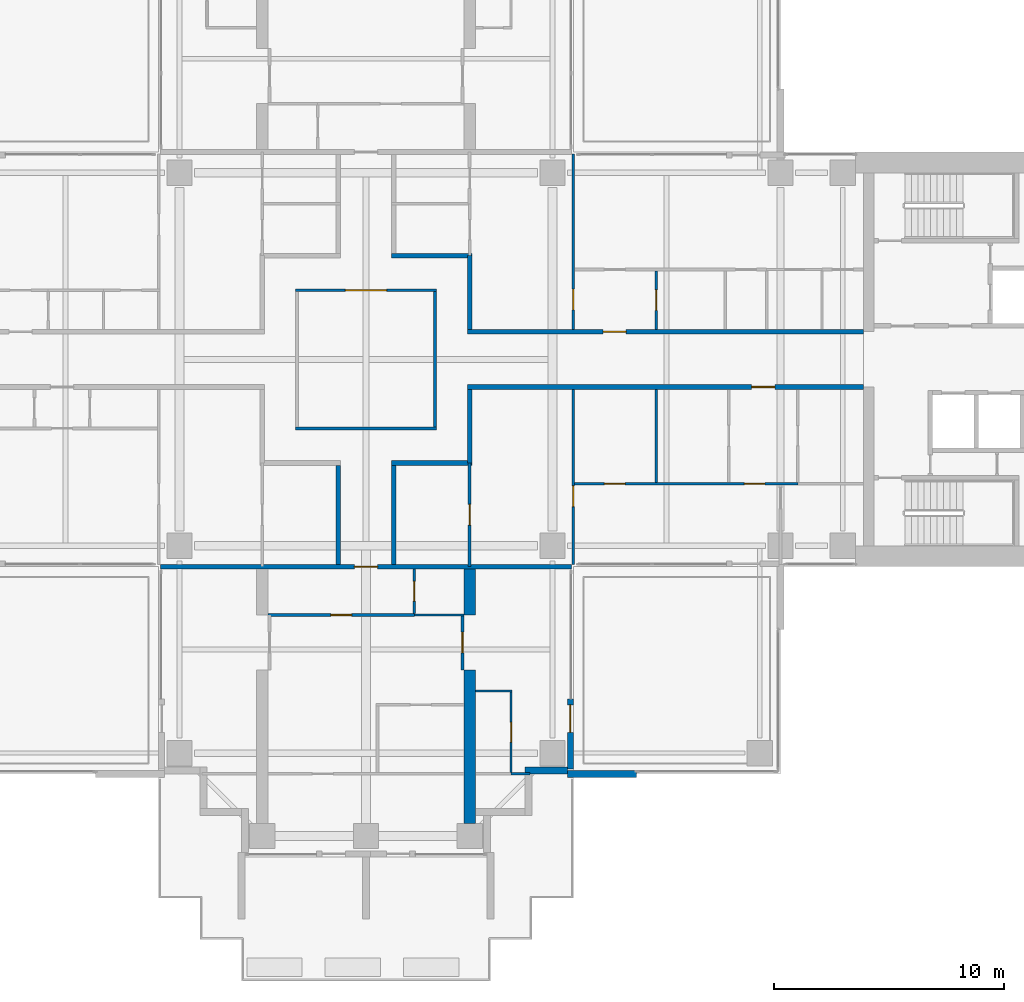
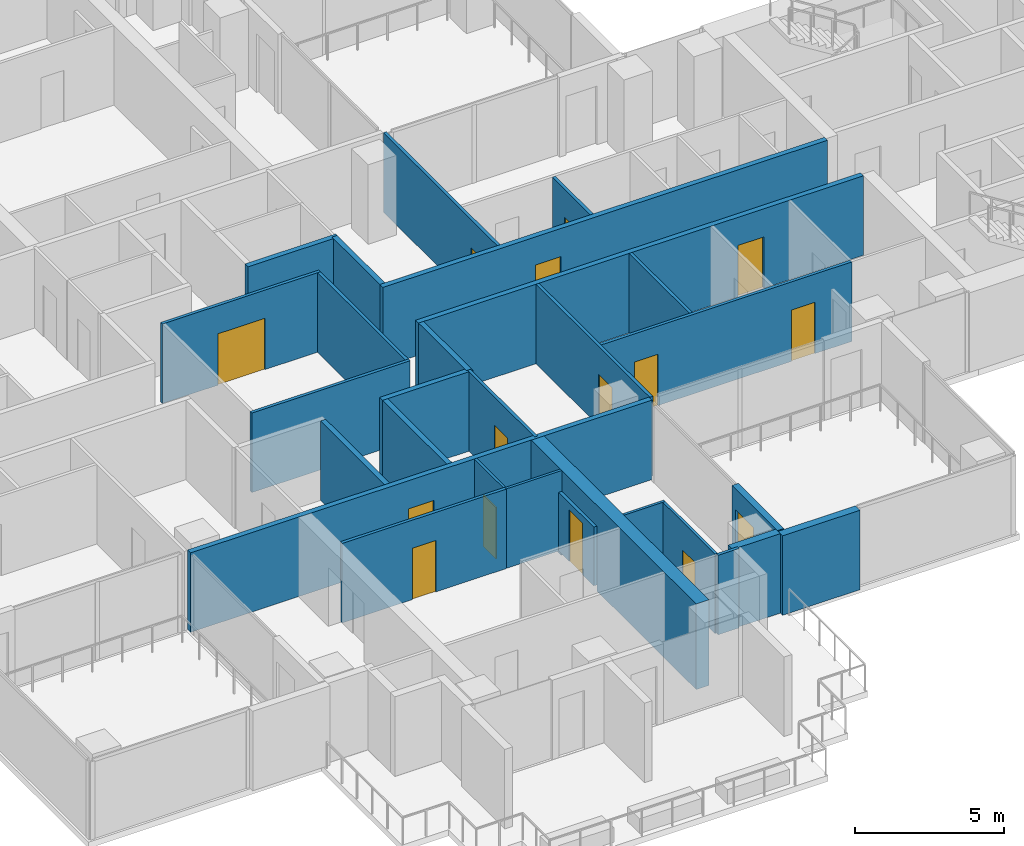
# One storey, part 12 of 20: 29 walls, 15 doors, 15 openings.
"""IFC4 building model written with IfcOpenShell, lengths in metres."""

from ifc_helpers import new_model, si_unit, direction, frame, frame_2d, origin, place, context, subcontext, project, spatial, polyline, rectangle, outline, extrude, material, layer, layer_set, material_profile, profile_set, type_object, element, fill, save


model = new_model("IFC4")

# Units and contexts
model_context = context("Model", 3, precision=1e-05, world=origin(), true_north=direction((0.0, 1.0)))
body_context = subcontext(model_context, "Body", "Model", "MODEL_VIEW")
ifc_project = project(units=[si_unit("LENGTHUNIT", "METRE"), si_unit("AREAUNIT", "SQUARE_METRE"), si_unit("VOLUMEUNIT", "CUBIC_METRE"), si_unit("PLANEANGLEUNIT", "RADIAN"), si_unit("MASSUNIT", "GRAM", prefix="KILO")], contexts=[model_context])

# Site, building, storey
site_placement = place(None, origin())
site = spatial("IfcSite", under=ifc_project, at=site_placement, CompositionType="ELEMENT")
building_placement = place(site_placement, origin())
building = spatial("IfcBuilding", under=site, at=building_placement, Name="Perihelion Cross Residences", CompositionType="ELEMENT")
storey_placement = place(building_placement, frame((0.0, 0.0, 102.39990234375)))
storey = spatial("IfcBuildingStorey", under=building, at=storey_placement, Name="L23", CompositionType="ELEMENT", Elevation=102.39990234375)

# Wall, opening, door
ifc_material_1 = material(Name="Plasterboard partition")
ifc_layer_1 = layer(ifc_material_1, 0.199951171875)
ifc_layer_set_1 = layer_set([ifc_layer_1], Name="Apartment separation wall 200")
wall_type_1 = type_object("IfcWallType", Name="Apartment separation wall 200", PredefinedType="PARTITIONING", material=ifc_layer_set_1)
wall_1_placement = place(storey_placement, frame((4.39990234375, 1.199951171875, 0.0), z_axis=(0.0, 0.0, 1.0), x_axis=(1.0, 0.0, 0.0)))
wall_1 = element("IfcWall", 1, at=wall_1_placement, inside=storey, type_object=wall_type_1, Name="Partition L23 W005", PredefinedType="PARTITIONING", context=body_context, shape_type="SweptSolid", body=[
    extrude(rectangle(XDim=17.2001953125, YDim=0.199951171875, at=frame_2d((8.60009765625, 0.0))), origin(), (0.0, 0.0, 1.0), 3.25),
])
opening_1_placement = place(wall_1_placement, frame((5.89990234375, 0.0, 0.0)))
opening_1 = element("IfcOpeningElement", 2, at=opening_1_placement, cuts=wall_1, Name="Opening L23.A46", PredefinedType="OPENING", context=body_context, shape_type="SweptSolid", body=[
    extrude(rectangle(XDim=1.0, YDim=2.10009765625, at=frame_2d((0.5, 1.050048828125))), frame((0.0, 0.10986328125, 0.0), z_axis=(0.0, -1.0, 0.0), x_axis=(1.0, 0.0, 0.0)), (0.0, 0.0, 1.0), 0.219970703125),
])
ifc_material_2 = material(Name="Timber door leaf", Category="wood")
door_type_1 = type_object("IfcDoorType", Name="Flat entrance door 1000 x 2100", OperationType="SINGLE_SWING_LEFT", PredefinedType="DOOR", material=ifc_material_2)
door_1_placement = place(opening_1_placement, origin())
door_1 = element("IfcDoor", 3, at=door_1_placement, inside=storey, type_object=door_type_1, Name="Door L23.A46", OperationType="SINGLE_SWING_LEFT", OverallHeight=2.10009765625, OverallWidth=1.0, PredefinedType="DOOR", context=body_context, shape_type="SweptSolid", body=[
    extrude(rectangle(XDim=1.0, YDim=2.10009765625, at=frame_2d((0.5, 1.050048828125))), frame((0.0, 0.02490234375, 0.0), z_axis=(0.0, -1.0, 0.0), x_axis=(1.0, 0.0, 0.0)), (0.0, 0.0, 1.0), 0.050048828125),
])
fill(opening_1, door_1)

# Walls
wall_2_placement = place(storey_placement, frame((4.5, 4.5, 0.0), z_axis=(0.0, 0.0, 1.0), x_axis=(0.0, -1.0, 0.0)))
element("IfcWall", 4, at=wall_2_placement, inside=storey, type_object=wall_type_1, Name="Partition L23 W006", PredefinedType="PARTITIONING", context=body_context, shape_type="SweptSolid", body=[
    extrude(rectangle(XDim=3.199951171875, YDim=0.199951171875, at=frame_2d((1.60009765625, 0.0))), origin(), (0.0, 0.0, 1.0), 3.25),
])
wall_3_placement = place(storey_placement, frame((1.10009765625, 4.5, 0.0), z_axis=(0.0, 0.0, 1.0), x_axis=(1.0, 0.0, 0.0)))
element("IfcWall", 5, at=wall_3_placement, inside=storey, type_object=wall_type_1, Name="Partition L23 W008", PredefinedType="PARTITIONING", context=body_context, shape_type="SweptSolid", body=[
    extrude(rectangle(XDim=3.5, YDim=0.199951171875, at=frame_2d((1.75, 0.0))), origin(), (0.0, 0.0, 1.0), 3.25),
])

# Wall, opening, door
wall_4_placement = place(storey_placement, frame((21.60009765625, -1.199951171875, 0.0), z_axis=(0.0, 0.0, 1.0), x_axis=(-1.0, 0.0, 0.0)))
wall_4 = element("IfcWall", 6, at=wall_4_placement, inside=storey, type_object=wall_type_1, Name="Partition L23 W009", PredefinedType="PARTITIONING", context=body_context, shape_type="SweptSolid", body=[
    extrude(rectangle(XDim=17.2001953125, YDim=0.199951171875, at=frame_2d((8.60009765625, 0.0))), origin(), (0.0, 0.0, 1.0), 3.25),
])
opening_2_placement = place(wall_4_placement, frame((3.85009765625, 0.0, 0.0)))
opening_2 = element("IfcOpeningElement", 7, at=opening_2_placement, cuts=wall_4, Name="Opening L23.A47", PredefinedType="OPENING", context=body_context, shape_type="SweptSolid", body=[
    extrude(rectangle(XDim=1.0, YDim=2.10009765625, at=frame_2d((0.5, 1.050048828125))), frame((0.0, 0.10986328125, 0.0), z_axis=(0.0, -1.0, 0.0), x_axis=(1.0, 0.0, 0.0)), (0.0, 0.0, 1.0), 0.219970703125),
])
door_2_placement = place(opening_2_placement, origin())
door_2 = element("IfcDoor", 8, at=door_2_placement, inside=storey, type_object=door_type_1, Name="Door L23.A47", OperationType="SINGLE_SWING_LEFT", OverallHeight=2.10009765625, OverallWidth=1.0, PredefinedType="DOOR", context=body_context, shape_type="SweptSolid", body=[
    extrude(rectangle(XDim=1.0, YDim=2.10009765625, at=frame_2d((0.5, 1.050048828125))), frame((0.0, 0.02490234375, 0.0), z_axis=(0.0, -1.0, 0.0), x_axis=(1.0, 0.0, 0.0)), (0.0, 0.0, 1.0), 0.050048828125),
])
fill(opening_2, door_2)

# Walls
wall_5_placement = place(storey_placement, frame((4.5, -1.300048828125, 0.0), z_axis=(0.0, 0.0, 1.0), x_axis=(0.0, -1.0, 0.0)))
element("IfcWall", 9, at=wall_5_placement, inside=storey, type_object=wall_type_1, Name="Partition L23 W010", PredefinedType="PARTITIONING", context=body_context, shape_type="SweptSolid", body=[
    extrude(rectangle(XDim=3.199951171875, YDim=0.199951171875, at=frame_2d((1.60009765625, 0.0))), origin(), (0.0, 0.0, 1.0), 3.25),
])
wall_6_placement = place(storey_placement, frame((4.60009765625, -4.5, 0.0), z_axis=(0.0, 0.0, 1.0), x_axis=(-1.0, 0.0, 0.0)))
element("IfcWall", 10, at=wall_6_placement, inside=storey, type_object=wall_type_1, Name="Partition L23 W011", PredefinedType="PARTITIONING", context=body_context, shape_type="SweptSolid", body=[
    extrude(rectangle(XDim=3.5, YDim=0.199951171875, at=frame_2d((1.75, 0.0))), origin(), (0.0, 0.0, 1.0), 3.25),
])
for number, where, z_axis, x_axis, name in (
    (11, (1.199951171875, -4.60009765625, 0.0), (0.0, 0.0, 1.0), (0.0, -1.0, 0.0), "Partition L23 W012"),
    (12, (-1.199951171875, -8.89990234375, 0.0), (0.0, 0.0, 1.0), (0.0, 1.0, 0.0), "Partition L23 W019"),
):
    element("IfcWall", number, at=place(storey_placement, frame(where, z_axis=z_axis, x_axis=x_axis)), inside=storey, type_object=wall_type_1, Name=name, PredefinedType="PARTITIONING", context=body_context, shape_type="SweptSolid", body=[
        extrude(rectangle(XDim=4.2998046875, YDim=0.199951171875, at=frame_2d((2.14990234375, 0.0))), origin(), (0.0, 0.0, 1.0), 3.25),
    ])

# Wall, opening, door
wall_7_placement = place(storey_placement, frame((8.919921875, -9.0, 0.0), z_axis=(0.0, 0.0, 1.0), x_axis=(-1.0, 0.0, 0.0)))
wall_7 = element("IfcWall", 13, at=wall_7_placement, inside=storey, type_object=wall_type_1, Name="Partition L23 W022", PredefinedType="PARTITIONING", context=body_context, shape_type="SweptSolid", body=[
    extrude(rectangle(XDim=17.83984375, YDim=0.199951171875, at=frame_2d((8.919921875, 0.0))), origin(), (0.0, 0.0, 1.0), 3.25),
])
opening_3_placement = place(wall_7_placement, frame((8.419921875, 0.0, 0.0)))
opening_3 = element("IfcOpeningElement", 14, at=opening_3_placement, cuts=wall_7, Name="Opening L23.A40", PredefinedType="OPENING", context=body_context, shape_type="SweptSolid", body=[
    extrude(rectangle(XDim=1.0, YDim=2.10009765625, at=frame_2d((0.5, 1.050048828125))), frame((0.0, 0.10986328125, 0.0), z_axis=(0.0, -1.0, 0.0), x_axis=(1.0, 0.0, 0.0)), (0.0, 0.0, 1.0), 0.219970703125),
])
door_3_placement = place(opening_3_placement, origin())
door_3 = element("IfcDoor", 15, at=door_3_placement, inside=storey, type_object=door_type_1, Name="Door L23.A40", OperationType="SINGLE_SWING_RIGHT", OverallHeight=2.10009765625, OverallWidth=1.0, PredefinedType="DOOR", context=body_context, shape_type="SweptSolid", body=[
    extrude(rectangle(XDim=1.0, YDim=2.10009765625, at=frame_2d((0.5, 1.050048828125))), frame((0.0, 0.02490234375, 0.0), z_axis=(0.0, -1.0, 0.0), x_axis=(1.0, 0.0, 0.0)), (0.0, 0.0, 1.0), 0.050048828125),
])
fill(opening_3, door_3)

ifc_material_3 = material(Name="Concrete C30/37, bronze-clad", Category="concrete")
ifc_layer_2 = layer(ifc_material_3, 0.25)
ifc_layer_set_2 = layer_set([ifc_layer_2], Name="Bronze-clad pier wall 250")
wall_type_2 = type_object("IfcWallType", Name="Bronze-clad pier wall 250", PredefinedType="SOLIDWALL", material=ifc_layer_set_2)
wall_8_placement = place(storey_placement, frame((8.875, -17.800048828125, 0.0), z_axis=(0.0, 0.0, 1.0), x_axis=(0.0, 1.0, 0.0)))
wall_8 = element("IfcWall", 16, at=wall_8_placement, inside=storey, type_object=wall_type_2, Name="Wall FW1 L23 south side east bay 1 pier", PredefinedType="SOLIDWALL", context=body_context, shape_type="SweptSolid", body=[
    extrude(rectangle(XDim=3.050048828125, YDim=0.25, at=frame_2d((1.52490234375, 0.0))), origin(), (0.0, 0.0, 1.0), 3.25),
])
opening_4_placement = place(wall_8_placement, frame((1.60009765625, 0.0, 0.0)))
opening_4 = element("IfcOpeningElement", 17, at=opening_4_placement, cuts=wall_8, Name="Opening L23.E13", PredefinedType="OPENING", context=body_context, shape_type="SweptSolid", body=[
    extrude(rectangle(XDim=1.199951171875, YDim=2.39990234375, at=frame_2d((0.60009765625, 1.199951171875))), frame((0.0, 0.135009765625, 0.0), z_axis=(0.0, -1.0, 0.0), x_axis=(1.0, 0.0, 0.0)), (0.0, 0.0, 1.0), 0.27001953125),
])
ifc_material_4 = material(Name="Bronze anodised aluminium, glazed", Category="aluminium")
door_type_2 = type_object("IfcDoorType", Name="Balcony door 1200 x 2400", OperationType="NOTDEFINED", PredefinedType="DOOR", material=ifc_material_4)
door_4_placement = place(opening_4_placement, origin())
door_4 = element("IfcDoor", 18, at=door_4_placement, inside=storey, type_object=door_type_2, Name="Door L23.E13 south side east bay 1", OperationType="SINGLE_SWING_RIGHT", OverallHeight=2.39990234375, OverallWidth=1.199951171875, PredefinedType="DOOR", context=body_context, shape_type="SweptSolid", body=[
    extrude(rectangle(XDim=1.199951171875, YDim=2.39990234375, at=frame_2d((0.60009765625, 1.199951171875))), frame((0.0, 0.02490234375, 0.0), z_axis=(0.0, -1.0, 0.0), x_axis=(1.0, 0.0, 0.0)), (0.0, 0.0, 1.0), 0.050048828125),
])
fill(opening_4, door_4)

# Wall
ifc_material_5 = material(Name="Concrete C30/37, bronze-clad", Category="concrete")
ifc_layer_3 = layer(ifc_material_5, 0.300048828125)
ifc_layer_set_3 = layer_set([ifc_layer_3], Name="Bronze-clad serration wall 300")
wall_type_3 = type_object("IfcWallType", Name="Bronze-clad serration wall 300", PredefinedType="SOLIDWALL", material=ifc_layer_set_3)
wall_9_placement = place(storey_placement, frame((6.89990234375, -17.85009765625, 0.0), z_axis=(0.0, 0.0, 1.0), x_axis=(1.0, 0.0, 0.0)))
element("IfcWall", 19, at=wall_9_placement, inside=storey, type_object=wall_type_3, Name="Wall SR1 L23 south corner south-east 4", PredefinedType="SOLIDWALL", context=body_context, shape_type="SweptSolid", body=[
    extrude(rectangle(XDim=1.85009765625, YDim=0.300048828125, at=frame_2d((0.925048828125, 0.0))), origin(), (0.0, 0.0, 1.0), 3.25),
])

# Wall, opening, door
ifc_material_6 = material(Name="Plasterboard partition")
ifc_layer_4 = layer(ifc_material_6, 0.1201171875)
ifc_layer_set_4 = layer_set([ifc_layer_4], Name="Infill panel 120")
wall_type_4 = type_object("IfcWallType", Name="Infill panel 120", PredefinedType="PARTITIONING", material=ifc_layer_set_4)
wall_10_placement = place(storey_placement, frame((4.18994140625, -11.10009765625, 0.0), z_axis=(0.0, 0.0, 1.0), x_axis=(0.0, -1.0, 0.0)))
wall_10 = element("IfcWall", 20, at=wall_10_placement, inside=storey, type_object=wall_type_4, Name="Partition L23 WI05", PredefinedType="PARTITIONING", context=body_context, shape_type="SweptSolid", body=[
    extrude(rectangle(XDim=2.39990234375, YDim=0.1201171875, at=frame_2d((1.199951171875, 0.0))), origin(), (0.0, 0.0, 1.0), 2.400146484375),
])
opening_5_placement = place(wall_10_placement, frame((0.75, 0.0, 0.0)))
opening_5 = element("IfcOpeningElement", 21, at=opening_5_placement, cuts=wall_10, Name="Opening L23.A54", PredefinedType="OPENING", context=body_context, shape_type="SweptSolid", body=[
    extrude(rectangle(XDim=0.89990234375, YDim=2.10009765625, at=frame_2d((0.449951171875, 1.050048828125))), frame((0.0, 0.070068359375, 0.0), z_axis=(0.0, -1.0, 0.0), x_axis=(1.0, 0.0, 0.0)), (0.0, 0.0, 1.0), 0.14013671875),
])
ifc_material_7 = material(Name="Timber door leaf", Category="wood")
door_type_3 = type_object("IfcDoorType", Name="Interior room door 900 x 2100", OperationType="SINGLE_SWING_LEFT", PredefinedType="DOOR", material=ifc_material_7)
door_5_placement = place(opening_5_placement, origin())
door_5 = element("IfcDoor", 22, at=door_5_placement, inside=storey, type_object=door_type_3, Name="Door L23.A54", OperationType="SINGLE_SWING_LEFT", OverallHeight=2.10009765625, OverallWidth=0.89990234375, PredefinedType="DOOR", context=body_context, shape_type="SweptSolid", body=[
    extrude(rectangle(XDim=0.89990234375, YDim=2.10009765625, at=frame_2d((0.449951171875, 1.050048828125))), frame((0.0, 0.02490234375, 0.0), z_axis=(0.0, -1.0, 0.0), x_axis=(1.0, 0.0, 0.0)), (0.0, 0.0, 1.0), 0.050048828125),
])
fill(opening_5, door_5)

# Walls
ifc_material_8 = material(Name="Plasterboard partition")
ifc_layer_5 = layer(ifc_material_8, 0.1201171875)
ifc_layer_set_5 = layer_set([ifc_layer_5], Name="Partition wall 120")
wall_type_5 = type_object("IfcWallType", Name="Partition wall 120", PredefinedType="PARTITIONING", material=ifc_layer_set_5)
wall_11_placement = place(storey_placement, frame((-3.06005859375, -3.0, 0.0), z_axis=(0.0, 0.0, 1.0), x_axis=(1.0, 0.0, 0.0)))
element("IfcWall", 23, at=wall_11_placement, inside=storey, type_object=wall_type_5, Name="Partition L23 W001", PredefinedType="PARTITIONING", context=body_context, shape_type="SweptSolid", body=[
    extrude(rectangle(XDim=6.1201171875, YDim=0.1201171875, at=frame_2d((3.06005859375, 0.0))), origin(), (0.0, 0.0, 1.0), 3.25),
])
wall_12_placement = place(storey_placement, frame((3.0, -2.93994140625, 0.0), z_axis=(0.0, 0.0, 1.0), x_axis=(0.0, 1.0, 0.0)))
element("IfcWall", 24, at=wall_12_placement, inside=storey, type_object=wall_type_5, Name="Partition L23 W002", PredefinedType="PARTITIONING", context=body_context, shape_type="SweptSolid", body=[
    extrude(rectangle(XDim=5.8798828125, YDim=0.1201171875, at=frame_2d((2.93994140625, 0.0))), origin(), (0.0, 0.0, 1.0), 3.25),
])

# Wall, opening, door
wall_13_placement = place(storey_placement, frame((3.06005859375, 3.0, 0.0), z_axis=(0.0, 0.0, 1.0), x_axis=(-1.0, 0.0, 0.0)))
wall_13 = element("IfcWall", 25, at=wall_13_placement, inside=storey, type_object=wall_type_5, Name="Partition L23 W003", PredefinedType="PARTITIONING", context=body_context, shape_type="SweptSolid", body=[
    extrude(rectangle(XDim=6.1201171875, YDim=0.1201171875, at=frame_2d((3.06005859375, 0.0))), origin(), (0.0, 0.0, 1.0), 3.25),
])
opening_6_placement = place(wall_13_placement, frame((2.159912109375, 0.0, 0.0)))
opening_6 = element("IfcOpeningElement", 26, at=opening_6_placement, cuts=wall_13, Name="Opening L23.A01", PredefinedType="OPENING", context=body_context, shape_type="SweptSolid", body=[
    extrude(rectangle(XDim=1.800048828125, YDim=2.10009765625, at=frame_2d((0.89990234375, 1.050048828125))), frame((0.0, 0.070068359375, 0.0), z_axis=(0.0, -1.0, 0.0), x_axis=(1.0, 0.0, 0.0)), (0.0, 0.0, 1.0), 0.14013671875),
])
ifc_material_9 = material(Name="Glazed timber door leaf", Category="wood")
door_type_4 = type_object("IfcDoorType", Name="Interior double leaf door 1800 x 2100", OperationType="DOUBLE_DOOR_SINGLE_SWING", PredefinedType="DOOR", material=ifc_material_9)
door_6_placement = place(opening_6_placement, origin())
door_6 = element("IfcDoor", 27, at=door_6_placement, inside=storey, type_object=door_type_4, Name="Door L23.A01", OperationType="SINGLE_SWING_LEFT", OverallHeight=2.10009765625, OverallWidth=1.800048828125, PredefinedType="DOOR", context=body_context, shape_type="SweptSolid", body=[
    extrude(rectangle(XDim=1.800048828125, YDim=2.10009765625, at=frame_2d((0.89990234375, 1.050048828125))), frame((0.0, 0.02490234375, 0.0), z_axis=(0.0, -1.0, 0.0), x_axis=(1.0, 0.0, 0.0)), (0.0, 0.0, 1.0), 0.050048828125),
])
fill(opening_6, door_6)

wall_14_placement = place(storey_placement, frame((12.60009765625, 3.840087890625, 0.0), z_axis=(0.0, 0.0, 1.0), x_axis=(0.0, -1.0, 0.0)))
wall_14 = element("IfcWall", 28, at=wall_14_placement, inside=storey, type_object=wall_type_5, Name="Partition L23 W023", PredefinedType="PARTITIONING", context=body_context, shape_type="SweptSolid", body=[
    extrude(rectangle(XDim=2.5400390625, YDim=0.1201171875, at=frame_2d((1.27001953125, 0.0))), origin(), (0.0, 0.0, 1.0), 3.25),
])
opening_7_placement = place(wall_14_placement, frame((0.820068359375, 0.0, 0.0)))
opening_7 = element("IfcOpeningElement", 29, at=opening_7_placement, cuts=wall_14, Name="Opening L23.A06", PredefinedType="OPENING", context=body_context, shape_type="SweptSolid", body=[
    extrude(rectangle(XDim=0.89990234375, YDim=2.10009765625, at=frame_2d((0.449951171875, 1.050048828125))), frame((0.0, 0.070068359375, 0.0), z_axis=(0.0, -1.0, 0.0), x_axis=(1.0, 0.0, 0.0)), (0.0, 0.0, 1.0), 0.14013671875),
])
door_7_placement = place(opening_7_placement, origin())
door_7 = element("IfcDoor", 30, at=door_7_placement, inside=storey, type_object=door_type_3, Name="Door L23.A06", OperationType="SINGLE_SWING_RIGHT", OverallHeight=2.10009765625, OverallWidth=0.89990234375, PredefinedType="DOOR", context=body_context, shape_type="SweptSolid", body=[
    extrude(rectangle(XDim=0.89990234375, YDim=2.10009765625, at=frame_2d((0.449951171875, 1.050048828125))), frame((0.0, 0.02490234375, 0.0), z_axis=(0.0, -1.0, 0.0), x_axis=(1.0, 0.0, 0.0)), (0.0, 0.0, 1.0), 0.050048828125),
])
fill(opening_7, door_7)

wall_15_placement = place(storey_placement, frame((9.0, 1.300048828125, 0.0), z_axis=(0.0, 0.0, 1.0), x_axis=(0.0, 1.0, 0.0)))
wall_15 = element("IfcWall", 31, at=wall_15_placement, inside=storey, type_object=wall_type_5, Name="Partition L23 W025", PredefinedType="PARTITIONING", context=body_context, shape_type="SweptSolid", body=[
    extrude(rectangle(XDim=7.619873046875, YDim=0.1201171875, at=frame_2d((3.81005859375, 0.0))), origin(), (0.0, 0.0, 1.0), 3.25),
])
opening_8_placement = place(wall_15_placement, frame((0.85009765625, 0.0, 0.0)))
opening_8 = element("IfcOpeningElement", 32, at=opening_8_placement, cuts=wall_15, Name="Opening L23.A05", PredefinedType="OPENING", context=body_context, shape_type="SweptSolid", body=[
    extrude(rectangle(XDim=0.89990234375, YDim=2.10009765625, at=frame_2d((0.449951171875, 1.050048828125))), frame((0.0, 0.070068359375, 0.0), z_axis=(0.0, -1.0, 0.0), x_axis=(1.0, 0.0, 0.0)), (0.0, 0.0, 1.0), 0.14013671875),
])
door_8_placement = place(opening_8_placement, origin())
door_8 = element("IfcDoor", 33, at=door_8_placement, inside=storey, type_object=door_type_3, Name="Door L23.A05", OperationType="SINGLE_SWING_LEFT", OverallHeight=2.10009765625, OverallWidth=0.89990234375, PredefinedType="DOOR", context=body_context, shape_type="SweptSolid", body=[
    extrude(rectangle(XDim=0.89990234375, YDim=2.10009765625, at=frame_2d((0.449951171875, 1.050048828125))), frame((0.0, 0.02490234375, 0.0), z_axis=(0.0, -1.0, 0.0), x_axis=(1.0, 0.0, 0.0)), (0.0, 0.0, 1.0), 0.050048828125),
])
fill(opening_8, door_8)

# Wall
wall_16_placement = place(storey_placement, frame((12.60009765625, -1.300048828125, 0.0), z_axis=(0.0, 0.0, 1.0), x_axis=(0.0, -1.0, 0.0)))
element("IfcWall", 34, at=wall_16_placement, inside=storey, type_object=wall_type_5, Name="Partition L23 W034", PredefinedType="PARTITIONING", context=body_context, shape_type="SweptSolid", body=[
    extrude(rectangle(XDim=4.0400390625, YDim=0.1201171875, at=frame_2d((2.02001953125, 0.0))), origin(), (0.0, 0.0, 1.0), 3.25),
])

# Wall, openings, doors
wall_17_placement = place(storey_placement, frame((18.75, -5.39990234375, 0.0), z_axis=(0.0, 0.0, 1.0), x_axis=(-1.0, 0.0, 0.0)))
wall_17 = element("IfcWall", 35, at=wall_17_placement, inside=storey, type_object=wall_type_5, Name="Partition L23 W035", PredefinedType="PARTITIONING", context=body_context, shape_type="SweptSolid", body=[
    extrude(rectangle(XDim=9.81005859375, YDim=0.1201171875, at=frame_2d((4.905029296875, 0.0))), origin(), (0.0, 0.0, 1.0), 3.25),
])
opening_9_placement = place(wall_17_placement, frame((7.5, 0.0, 0.0)))
opening_9 = element("IfcOpeningElement", 36, at=opening_9_placement, cuts=wall_17, Name="Opening L23.A13", PredefinedType="OPENING", context=body_context, shape_type="SweptSolid", body=[
    extrude(rectangle(XDim=0.89990234375, YDim=2.10009765625, at=frame_2d((0.449951171875, 1.050048828125))), frame((0.0, 0.070068359375, 0.0), z_axis=(0.0, -1.0, 0.0), x_axis=(1.0, 0.0, 0.0)), (0.0, 0.0, 1.0), 0.14013671875),
])
opening_10_placement = place(wall_17_placement, frame((1.425048828125, 0.0, 0.0)))
opening_10 = element("IfcOpeningElement", 37, at=opening_10_placement, cuts=wall_17, Name="Opening L23.A14", PredefinedType="OPENING", context=body_context, shape_type="SweptSolid", body=[
    extrude(rectangle(XDim=0.89990234375, YDim=2.10009765625, at=frame_2d((0.449951171875, 1.050048828125))), frame((0.0, 0.070068359375, 0.0), z_axis=(0.0, -1.0, 0.0), x_axis=(1.0, 0.0, 0.0)), (0.0, 0.0, 1.0), 0.14013671875),
])
door_9_placement = place(opening_9_placement, origin())
door_9 = element("IfcDoor", 38, at=door_9_placement, inside=storey, type_object=door_type_3, Name="Door L23.A13", OperationType="SINGLE_SWING_LEFT", OverallHeight=2.10009765625, OverallWidth=0.89990234375, PredefinedType="DOOR", context=body_context, shape_type="SweptSolid", body=[
    extrude(rectangle(XDim=0.89990234375, YDim=2.10009765625, at=frame_2d((0.449951171875, 1.050048828125))), frame((0.0, 0.02490234375, 0.0), z_axis=(0.0, -1.0, 0.0), x_axis=(1.0, 0.0, 0.0)), (0.0, 0.0, 1.0), 0.050048828125),
])
fill(opening_9, door_9)
door_10_placement = place(opening_10_placement, origin())
door_10 = element("IfcDoor", 39, at=door_10_placement, inside=storey, type_object=door_type_3, Name="Door L23.A14", OperationType="SINGLE_SWING_RIGHT", OverallHeight=2.10009765625, OverallWidth=0.89990234375, PredefinedType="DOOR", context=body_context, shape_type="SweptSolid", body=[
    extrude(rectangle(XDim=0.89990234375, YDim=2.10009765625, at=frame_2d((0.449951171875, 1.050048828125))), frame((0.0, 0.02490234375, 0.0), z_axis=(0.0, -1.0, 0.0), x_axis=(1.0, 0.0, 0.0)), (0.0, 0.0, 1.0), 0.050048828125),
])
fill(opening_10, door_10)

# Wall, opening, door
wall_18_placement = place(storey_placement, frame((9.0, -8.919921875, 0.0), z_axis=(0.0, 0.0, 1.0), x_axis=(0.0, 1.0, 0.0)))
wall_18 = element("IfcWall", 40, at=wall_18_placement, inside=storey, type_object=wall_type_5, Name="Partition L23 W036", PredefinedType="PARTITIONING", context=body_context, shape_type="SweptSolid", body=[
    extrude(rectangle(XDim=7.619873046875, YDim=0.1201171875, at=frame_2d((3.81005859375, 0.0))), origin(), (0.0, 0.0, 1.0), 3.25),
])
opening_11_placement = place(wall_18_placement, frame((2.52001953125, 0.0, 0.0)))
opening_11 = element("IfcOpeningElement", 41, at=opening_11_placement, cuts=wall_18, Name="Opening L23.A15", PredefinedType="OPENING", context=body_context, shape_type="SweptSolid", body=[
    extrude(rectangle(XDim=0.89990234375, YDim=2.10009765625, at=frame_2d((0.449951171875, 1.050048828125))), frame((0.0, 0.070068359375, 0.0), z_axis=(0.0, -1.0, 0.0), x_axis=(1.0, 0.0, 0.0)), (0.0, 0.0, 1.0), 0.14013671875),
])
door_11_placement = place(opening_11_placement, origin())
door_11 = element("IfcDoor", 42, at=door_11_placement, inside=storey, type_object=door_type_3, Name="Door L23.A15", OperationType="SINGLE_SWING_LEFT", OverallHeight=2.10009765625, OverallWidth=0.89990234375, PredefinedType="DOOR", context=body_context, shape_type="SweptSolid", body=[
    extrude(rectangle(XDim=0.89990234375, YDim=2.10009765625, at=frame_2d((0.449951171875, 1.050048828125))), frame((0.0, 0.02490234375, 0.0), z_axis=(0.0, -1.0, 0.0), x_axis=(1.0, 0.0, 0.0)), (0.0, 0.0, 1.0), 0.050048828125),
])
fill(opening_11, door_11)

wall_19_placement = place(storey_placement, frame((4.5, -9.0, 0.0), z_axis=(0.0, 0.0, 1.0), x_axis=(0.0, 1.0, 0.0)))
wall_19 = element("IfcWall", 43, at=wall_19_placement, inside=storey, type_object=wall_type_5, Name="Partition L23 W041", PredefinedType="PARTITIONING", context=body_context, shape_type="SweptSolid", body=[
    extrude(rectangle(XDim=4.5, YDim=0.1201171875, at=frame_2d((2.25, 0.0))), origin(), (0.0, 0.0, 1.0), 3.25),
])
opening_12_placement = place(wall_19_placement, frame((1.800048828125, 0.0, 0.0)))
opening_12 = element("IfcOpeningElement", 44, at=opening_12_placement, cuts=wall_19, Name="Opening L23.A11", PredefinedType="OPENING", context=body_context, shape_type="SweptSolid", body=[
    extrude(rectangle(XDim=0.89990234375, YDim=2.10009765625, at=frame_2d((0.449951171875, 1.050048828125))), frame((0.0, 0.070068359375, 0.0), z_axis=(0.0, -1.0, 0.0), x_axis=(1.0, 0.0, 0.0)), (0.0, 0.0, 1.0), 0.14013671875),
])
door_12_placement = place(opening_12_placement, origin())
door_12 = element("IfcDoor", 45, at=door_12_placement, inside=storey, type_object=door_type_3, Name="Door L23.A11", OperationType="SINGLE_SWING_RIGHT", OverallHeight=2.10009765625, OverallWidth=0.89990234375, PredefinedType="DOOR", context=body_context, shape_type="SweptSolid", body=[
    extrude(rectangle(XDim=0.89990234375, YDim=2.10009765625, at=frame_2d((0.449951171875, 1.050048828125))), frame((0.0, 0.02490234375, 0.0), z_axis=(0.0, -1.0, 0.0), x_axis=(1.0, 0.0, 0.0)), (0.0, 0.0, 1.0), 0.050048828125),
])
fill(opening_12, door_12)

wall_20_placement = place(storey_placement, frame((2.10009765625, -11.10009765625, 0.0), z_axis=(0.0, 0.0, 1.0), x_axis=(-1.0, 0.0, 0.0)))
wall_20 = element("IfcWall", 46, at=wall_20_placement, inside=storey, type_object=wall_type_5, Name="Partition L23 W079", PredefinedType="PARTITIONING", context=body_context, shape_type="SweptSolid", body=[
    extrude(rectangle(XDim=6.35009765625, YDim=0.1201171875, at=frame_2d((3.175048828125, 0.0))), origin(), (0.0, 0.0, 1.0), 3.25),
])
opening_13_placement = place(wall_20_placement, frame((2.72509765625, 0.0, 0.0)))
opening_13 = element("IfcOpeningElement", 47, at=opening_13_placement, cuts=wall_20, Name="Opening L23.A42", PredefinedType="OPENING", context=body_context, shape_type="SweptSolid", body=[
    extrude(rectangle(XDim=0.89990234375, YDim=2.10009765625, at=frame_2d((0.449951171875, 1.050048828125))), frame((0.0, 0.070068359375, 0.0), z_axis=(0.0, -1.0, 0.0), x_axis=(1.0, 0.0, 0.0)), (0.0, 0.0, 1.0), 0.14013671875),
])
door_13_placement = place(opening_13_placement, origin())
door_13 = element("IfcDoor", 48, at=door_13_placement, inside=storey, type_object=door_type_3, Name="Door L23.A42", OperationType="SINGLE_SWING_RIGHT", OverallHeight=2.10009765625, OverallWidth=0.89990234375, PredefinedType="DOOR", context=body_context, shape_type="SweptSolid", body=[
    extrude(rectangle(XDim=0.89990234375, YDim=2.10009765625, at=frame_2d((0.449951171875, 1.050048828125))), frame((0.0, 0.02490234375, 0.0), z_axis=(0.0, -1.0, 0.0), x_axis=(1.0, 0.0, 0.0)), (0.0, 0.0, 1.0), 0.050048828125),
])
fill(opening_13, door_13)

# Walls
wall_21_placement = place(storey_placement, frame((7.1201171875, -18.0, 0.0), z_axis=(0.0, 0.0, 1.0), x_axis=(-1.0, 0.0, 0.0)))
element("IfcWall", 49, at=wall_21_placement, inside=storey, type_object=wall_type_5, Name="Partition L23 W086", PredefinedType="PARTITIONING", context=body_context, shape_type="SweptSolid", body=[
    extrude(rectangle(XDim=0.820068359375, YDim=0.1201171875, at=frame_2d((0.41015625, 0.0))), origin(), (0.0, 0.0, 1.0), 3.25),
])
ifc_material_10 = material(Name="Precast concrete C50/60", Category="concrete")
ifc_layer_6 = layer(ifc_material_10, 0.300048828125)
ifc_layer_set_6 = layer_set([ifc_layer_6], Name="Precast concrete C50/60 blade wall 300")
wall_type_6 = type_object("IfcWallType", Name="Precast concrete C50/60 blade wall 300", PredefinedType="SOLIDWALL", material=ifc_layer_set_6)
wall_22_placement = place(storey_placement, frame((8.75, -18.0, 0.0), z_axis=(0.0, 0.0, 1.0), x_axis=(1.0, 0.0, 0.0)))
element("IfcWall", 50, at=wall_22_placement, inside=storey, type_object=wall_type_6, Name="Wall BL1 L23 no. 14", PredefinedType="SOLIDWALL", context=body_context, shape_type="SweptSolid", body=[
    extrude(rectangle(XDim=2.989990234375, YDim=0.300048828125, at=frame_2d((1.4951171875, 0.0))), origin(), (0.0, 0.0, 1.0), 3.25),
])
ifc_material_11 = material(Name="Concrete C60/75", Category="concrete")
ifc_material_profile = material_profile(ifc_material_11, outline(polyline([(0.0, 0.0), (6.64990234375, 0.0), (6.64990234375, 2.64990234375), (9.050048828125, 2.64990234375), (9.050048828125, 0.0), (11.14990234375, 0.0), (11.14990234375, 3.5), (0.0, 3.5), (0.0, 0.0)])), Name="Tip spine wall")
ifc_profile_set = profile_set([ifc_material_profile], Name="Concrete C60/75")
wall_type_7 = type_object("IfcWallType", Name="Tip spine wall 500 with 1 door openings 11150 long 3500 high concrete C60/75", PredefinedType="SHEAR", material=ifc_profile_set)
wall_23_placement = place(storey_placement, frame((4.25, -20.14990234375, -0.25), z_axis=(1.0, 0.0, 0.0), x_axis=(0.0, 1.0, 0.0)))
element("IfcWall", 51, at=wall_23_placement, inside=storey, type_object=wall_type_7, Name="Shear wall SW33 L23 south east", PredefinedType="SHEAR", context=body_context, shape_type="SweptSolid", body=[
    extrude(outline(polyline([(0.0, 0.0), (6.64990234375, 0.0), (6.64990234375, 2.64990234375), (9.050048828125, 2.64990234375), (9.050048828125, 0.0), (11.14990234375, 0.0), (11.14990234375, 3.5), (0.0, 3.5), (0.0, 0.0)])), origin(), (0.0, 0.0, 1.0), 0.5),
])

# Wall, opening, door
ifc_material_12 = material(Name="Plasterboard partition")
ifc_layer_7 = layer(ifc_material_12, 0.10009765625)
ifc_layer_set_7 = layer_set([ifc_layer_7], Name="Wet room wall 100")
wall_type_8 = type_object("IfcWallType", Name="Wet room wall 100", PredefinedType="PARTITIONING", material=ifc_layer_set_7)
wall_24_placement = place(storey_placement, frame((2.10009765625, -9.10009765625, 0.0), z_axis=(0.0, 0.0, 1.0), x_axis=(0.0, -1.0, 0.0)))
wall_24 = element("IfcWall", 52, at=wall_24_placement, inside=storey, type_object=wall_type_8, Name="Partition L23 W078", PredefinedType="PARTITIONING", context=body_context, shape_type="SweptSolid", body=[
    extrude(rectangle(XDim=1.93994140625, YDim=0.10009765625, at=frame_2d((0.969970703125, 0.0))), origin(), (0.0, 0.0, 1.0), 3.25),
])
opening_14_placement = place(wall_24_placement, frame((0.544921875, 0.0, 0.0)))
opening_14 = element("IfcOpeningElement", 53, at=opening_14_placement, cuts=wall_24, Name="Opening L23.A41", PredefinedType="OPENING", context=body_context, shape_type="SweptSolid", body=[
    extrude(rectangle(XDim=0.85009765625, YDim=2.10009765625, at=frame_2d((0.425048828125, 1.050048828125))), frame((0.0, 0.06005859375, 0.0), z_axis=(0.0, -1.0, 0.0), x_axis=(1.0, 0.0, 0.0)), (0.0, 0.0, 1.0), 0.1201171875),
])
ifc_material_13 = material(Name="Timber door leaf", Category="wood")
door_type_5 = type_object("IfcDoorType", Name="Interior bathroom door 850 x 2100", OperationType="SINGLE_SWING_LEFT", PredefinedType="DOOR", material=ifc_material_13)
door_14_placement = place(opening_14_placement, origin())
door_14 = element("IfcDoor", 54, at=door_14_placement, inside=storey, type_object=door_type_5, Name="Door L23.A41", OperationType="SINGLE_SWING_LEFT", OverallHeight=2.10009765625, OverallWidth=0.85009765625, PredefinedType="DOOR", context=body_context, shape_type="SweptSolid", body=[
    extrude(rectangle(XDim=0.85009765625, YDim=2.10009765625, at=frame_2d((0.425048828125, 1.050048828125))), frame((0.0, 0.02490234375, 0.0), z_axis=(0.0, -1.0, 0.0), x_axis=(1.0, 0.0, 0.0)), (0.0, 0.0, 1.0), 0.050048828125),
])
fill(opening_14, door_14)

# Wall
wall_25_placement = place(storey_placement, frame((4.25, -11.10009765625, 0.0), z_axis=(0.0, 0.0, 1.0), x_axis=(-1.0, 0.0, 0.0)))
element("IfcWall", 55, at=wall_25_placement, inside=storey, type_object=wall_type_8, Name="Partition L23 W080", PredefinedType="PARTITIONING", context=body_context, shape_type="SweptSolid", body=[
    extrude(rectangle(XDim=2.14990234375, YDim=0.10009765625, at=frame_2d((1.074951171875, 0.0))), origin(), (0.0, 0.0, 1.0), 3.25),
])

# Wall, opening, door
wall_26_placement = place(storey_placement, frame((6.300048828125, -17.93994140625, 0.0), z_axis=(0.0, 0.0, 1.0), x_axis=(0.0, 1.0, 0.0)))
wall_26 = element("IfcWall", 56, at=wall_26_placement, inside=storey, type_object=wall_type_8, Name="Partition L23 W084", PredefinedType="PARTITIONING", context=body_context, shape_type="SweptSolid", body=[
    extrude(rectangle(XDim=3.489990234375, YDim=0.10009765625, at=frame_2d((1.7451171875, 0.0))), origin(), (0.0, 0.0, 1.0), 3.25),
])
opening_15_placement = place(wall_26_placement, frame((1.320068359375, 0.0, 0.0)))
opening_15 = element("IfcOpeningElement", 57, at=opening_15_placement, cuts=wall_26, Name="Opening L23.A45", PredefinedType="OPENING", context=body_context, shape_type="SweptSolid", body=[
    extrude(rectangle(XDim=0.85009765625, YDim=2.10009765625, at=frame_2d((0.425048828125, 1.050048828125))), frame((0.0, 0.06005859375, 0.0), z_axis=(0.0, -1.0, 0.0), x_axis=(1.0, 0.0, 0.0)), (0.0, 0.0, 1.0), 0.1201171875),
])
door_15_placement = place(opening_15_placement, origin())
door_15 = element("IfcDoor", 58, at=door_15_placement, inside=storey, type_object=door_type_5, Name="Door L23.A45", OperationType="SINGLE_SWING_RIGHT", OverallHeight=2.10009765625, OverallWidth=0.85009765625, PredefinedType="DOOR", context=body_context, shape_type="SweptSolid", body=[
    extrude(rectangle(XDim=0.85009765625, YDim=2.10009765625, at=frame_2d((0.425048828125, 1.050048828125))), frame((0.0, 0.02490234375, 0.0), z_axis=(0.0, -1.0, 0.0), x_axis=(1.0, 0.0, 0.0)), (0.0, 0.0, 1.0), 0.050048828125),
])
fill(opening_15, door_15)

# Wall
wall_27_placement = place(storey_placement, frame((6.35009765625, -14.39990234375, 0.0), z_axis=(0.0, 0.0, 1.0), x_axis=(-1.0, 0.0, 0.0)))
element("IfcWall", 59, at=wall_27_placement, inside=storey, type_object=wall_type_8, Name="Partition L23 W085", PredefinedType="PARTITIONING", context=body_context, shape_type="SweptSolid", body=[
    extrude(rectangle(XDim=1.60009765625, YDim=0.10009765625, at=frame_2d((0.800048828125, 0.0))), origin(), (0.0, 0.0, 1.0), 3.25),
])

save(model, "model.ifc")
